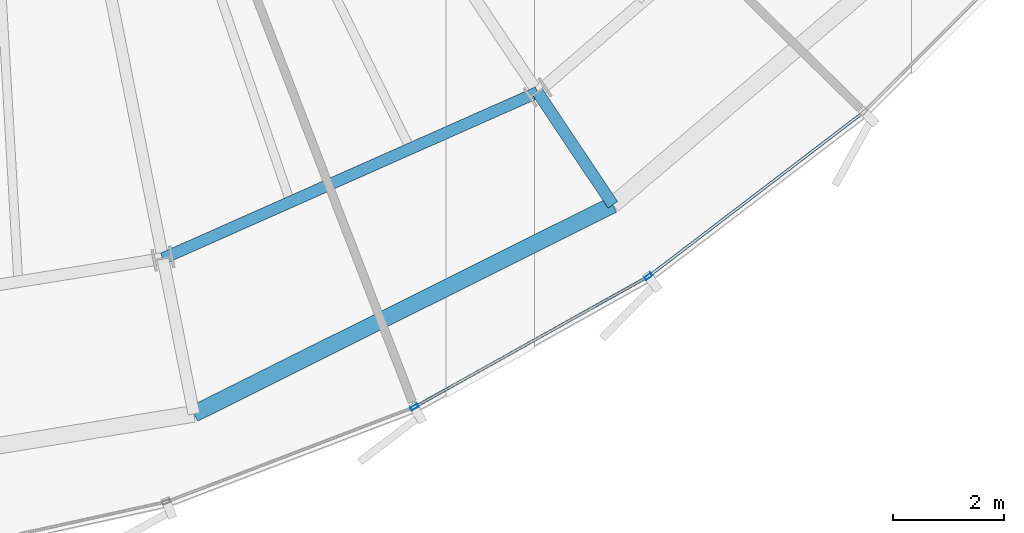
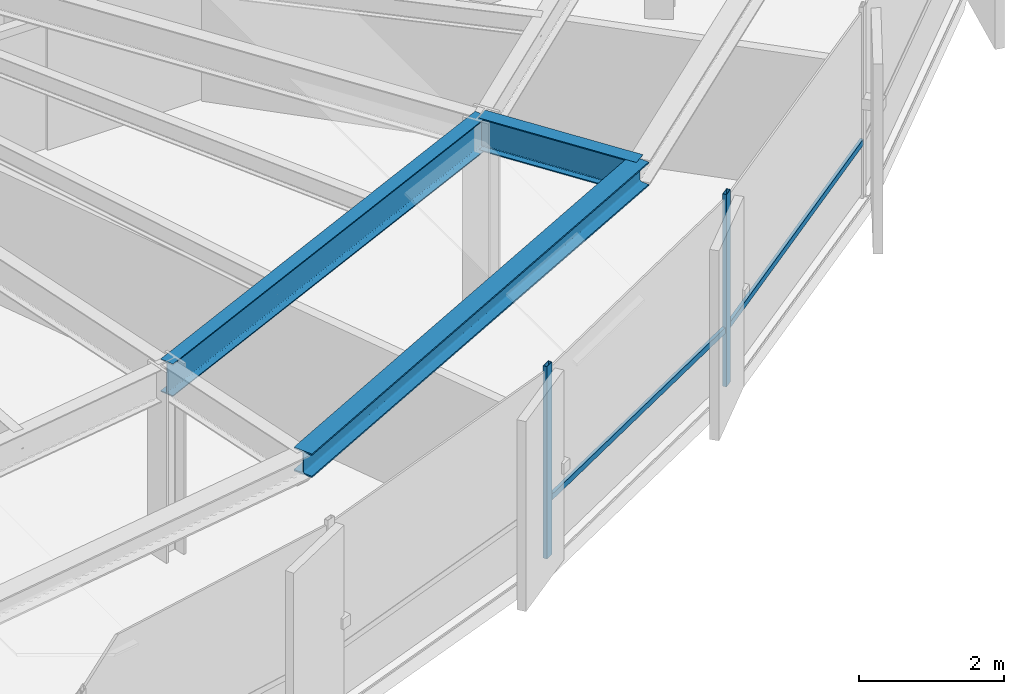
# One storey, part 13 of 35: 4 members, 3 beams, 1 element without a shape of its own.
"""IFC4 building model written with IfcOpenShell, lengths in metres."""

from ifc_helpers import new_model, si_unit, direction, frame, origin, origin_2d, place, context, subcontext, project, spatial, hollow_rectangle, i_section, extrude, source, transform, mapped, material, layer, layer_set, material_profile, profile_set, type_object, element, aggregate, save


model = new_model("IFC4")

# Units and contexts
model_context = context("Model", 3, precision=1e-05, world=origin(), true_north=direction((0.0, 1.0)))
body_context = subcontext(model_context, "Body", "Model", "MODEL_VIEW")
ifc_project = project(units=[si_unit("LENGTHUNIT", "METRE"), si_unit("AREAUNIT", "SQUARE_METRE"), si_unit("VOLUMEUNIT", "CUBIC_METRE"), si_unit("PLANEANGLEUNIT", "RADIAN"), si_unit("MASSUNIT", "GRAM", prefix="KILO"), si_unit("THERMODYNAMICTEMPERATUREUNIT", "KELVIN")], contexts=[model_context])

# Site, building, storey
site_placement = place(None, origin())
site = spatial("IfcSite", under=ifc_project, at=site_placement, CompositionType="ELEMENT")
building_placement = place(site_placement, origin())
building = spatial("IfcBuilding", under=site, at=building_placement, Name="Kethvar Cultural Tower", CompositionType="ELEMENT")
storey_placement = place(building_placement, frame((0.0, 0.0, 167.85009765625)))
storey = spatial("IfcBuildingStorey", under=building, at=storey_placement, Name="L43", CompositionType="ELEMENT", Elevation=167.85009765625)

# Beams
ifc_material_1 = material(Name="Steel S355J2", Category="steel")
ifc_material_profile_1 = material_profile(ifc_material_1, i_section(OverallWidth=0.2099609375, OverallDepth=0.550048828125, WebThickness=0.010986328125, FlangeThickness=0.01708984375, FilletRadius=0.02392578125, at=origin_2d()), Name="Steel S355J2 — IPE550")
ifc_profile_set_1 = profile_set([ifc_material_profile_1], Name="Steel S355J2 — IPE550")
beam_type_1 = type_object("IfcBeamType", Name="BM-IPE550", PredefinedType="BEAM", material=ifc_profile_set_1)
shared_shape_1 = source(origin(), body_context, "Body", "SweptSolid", [
    extrude(i_section(OverallWidth=0.2099609375, OverallDepth=0.550048828125, WebThickness=0.010986328125, FlangeThickness=0.01708984375, FilletRadius=0.02392578125, at=origin_2d()), origin(), (0.0, 0.0, 1.0), 7.3720703125),
])
beam_1_placement = place(storey_placement, frame((50.50341796875, 9.182373046875, 2.962890625), z_axis=(0.914058560918, 0.405582232367, 0.0), x_axis=(-0.405582232367, 0.914058560918, 0.0)))
element("IfcBeam", 1, at=beam_1_placement, inside=storey, type_object=beam_type_1, Name="L43 Column Ring Tie Beam CR-13", PredefinedType="BEAM", context=body_context, shape_type="MappedRepresentation", body=[
    mapped(shared_shape_1, transform((0.0, 0.0, 0.0), scale=1.0)),
])
shared_shape_2 = source(origin(), body_context, "Body", "SweptSolid", [
    extrude(i_section(OverallWidth=0.2099609375, OverallDepth=0.550048828125, WebThickness=0.010986328125, FlangeThickness=0.01708984375, FilletRadius=0.02392578125, at=origin_2d()), origin(), (0.0, 0.0, 1.0), 2.435791015625),
])
beam_2_placement = place(storey_placement, frame((57.241943359375, 12.17236328125, 2.962890625), z_axis=(0.555601984191, -0.831448395971, 0.0), x_axis=(0.831448395971, 0.555601984191, 0.0)))
element("IfcBeam", 2, at=beam_2_placement, inside=storey, type_object=beam_type_1, Name="L43 Perimeter Cantilever Beam RC-14", PredefinedType="BEAM", context=body_context, shape_type="MappedRepresentation", body=[
    mapped(shared_shape_2, transform((0.0, 0.0, 0.0), scale=1.0)),
])
ifc_material_profile_2 = material_profile(ifc_material_1, i_section(OverallWidth=0.300048828125, OverallDepth=0.39990234375, WebThickness=0.013427734375, FlangeThickness=0.02392578125, FilletRadius=0.027099609375, at=origin_2d()), Name="Steel S355J2 — HEB400")
ifc_profile_set_2 = profile_set([ifc_material_profile_2], Name="Steel S355J2 — HEB400")
beam_type_2 = type_object("IfcBeamType", Name="BM-SP400", PredefinedType="SPANDREL", material=ifc_profile_set_2)
shared_shape_3 = source(origin(), body_context, "Body", "SweptSolid", [
    extrude(i_section(OverallWidth=0.300048828125, OverallDepth=0.39990234375, WebThickness=0.013427734375, FlangeThickness=0.02392578125, FilletRadius=0.027099609375, at=origin_2d()), origin(), (0.0, 0.0, 1.0), 8.421875),
])
beam_3_placement = place(storey_placement, frame((51.05908203125, 6.3876953125, 3.037841796875), z_axis=(0.894832668793, 0.446401719151, 0.0), x_axis=(-0.446401719151, 0.894832668793, 0.0)))
element("IfcBeam", 3, at=beam_3_placement, inside=storey, type_object=beam_type_2, Name="L43 Perimeter Spandrel Beam SP-13", PredefinedType="SPANDREL", context=body_context, shape_type="MappedRepresentation", body=[
    mapped(shared_shape_3, transform((0.0, 0.0, 0.0), scale=1.0)),
])

# Curtain wall, members
ifc_material_2 = material(Name="Aluminium 6063-T6", Category="aluminium")
ifc_layer = layer(ifc_material_2, 0.179931640625, Name="Aluminium 6063-T6", Category="aluminium")
ifc_layer_set = layer_set([ifc_layer], Name="Aluminium 6063-T6 (180 mm)")
curtain_wall_type = type_object("IfcCurtainWallType", Name="CW-SYS-04-Z34", PredefinedType="NOTDEFINED", material=ifc_layer_set)
curtain_wall_placement = place(storey_placement, origin())
curtain_wall = element("IfcCurtainWall", 4, at=curtain_wall_placement, inside=storey, type_object=curtain_wall_type, Name="L43 Curtain Wall Run 05", PredefinedType="NOTDEFINED")
ifc_material_profile_3 = material_profile(ifc_material_2, hollow_rectangle(XDim=0.06005859375, YDim=0.139892578125, WallThickness=0.0048828125, at=origin_2d()), Name="Aluminium 6063-T6 — RHS140x60x5")
ifc_profile_set_3 = profile_set([ifc_material_profile_3], Name="Aluminium 6063-T6 — RHS140x60x5")
member_type_1 = type_object("IfcMemberType", Name="CW-SYS-04-Z34-MUL", PredefinedType="MULLION", material=ifc_profile_set_3)
shared_shape_4 = source(origin(), body_context, "Body", "SweptSolid", [
    extrude(hollow_rectangle(XDim=0.06005859375, YDim=0.139892578125, WallThickness=0.0048828125, at=origin_2d()), origin(), (0.0, 0.0, 1.0), 3.239990234375),
])
member_1_placement = place(storey_placement, frame((55.025390625, 6.5078125, 0.0), z_axis=(0.0, 0.0, 1.0), x_axis=(-0.487829188113, 0.872939106253, 0.0)))
member_1 = element("IfcMember", 5, at=member_1_placement, type_object=member_type_1, Name="CW-L43-R05 Mullion 3", PredefinedType="MULLION", context=body_context, shape_type="MappedRepresentation", body=[
    mapped(shared_shape_4, transform((0.0, 0.0, 0.0), scale=1.0)),
])
member_2_placement = place(storey_placement, frame((59.2333984375, 8.85791015625, 0.0), z_axis=(0.0, 0.0, 1.0), x_axis=(-0.606765594053, 0.794880817402, 0.0)))
member_2 = element("IfcMember", 6, at=member_2_placement, type_object=member_type_1, Name="CW-L43-R05 Mullion 4", PredefinedType="MULLION", context=body_context, shape_type="MappedRepresentation", body=[
    mapped(shared_shape_4, transform((0.0, 0.0, 0.0), scale=1.0)),
])
ifc_material_profile_4 = material_profile(ifc_material_2, hollow_rectangle(XDim=0.050048828125, YDim=0.10009765625, WallThickness=0.00390625, at=origin_2d()), Name="Aluminium 6063-T6 — RHS100x50x4")
ifc_profile_set_4 = profile_set([ifc_material_profile_4], Name="Aluminium 6063-T6 — RHS100x50x4")
member_type_2 = type_object("IfcMemberType", Name="CW-SYS-04-Z34-TRN", PredefinedType="USERDEFINED", material=ifc_profile_set_4)
shared_shape_5 = source(origin(), body_context, "Body", "SweptSolid", [
    extrude(hollow_rectangle(XDim=0.050048828125, YDim=0.10009765625, WallThickness=0.00390625, at=origin_2d()), origin(), (0.0, 0.0, 1.0), 4.748779296875),
])
member_3_placement = place(storey_placement, frame((55.063232421875, 6.52880859375, 0.949951171875), z_axis=(0.872927383584, 0.487850164487, 0.0), x_axis=(-0.487850164487, 0.872927383584, 0.0)))
member_3 = element("IfcMember", 7, at=member_3_placement, type_object=member_type_2, Name="CW-L43-R05 Transom 3", ObjectType="TRANSOM", PredefinedType="USERDEFINED", context=body_context, shape_type="MappedRepresentation", body=[
    mapped(shared_shape_5, transform((0.0, 0.0, 0.0), scale=1.0)),
])
shared_shape_6 = source(origin(), body_context, "Body", "SweptSolid", [
    extrude(hollow_rectangle(XDim=0.050048828125, YDim=0.10009765625, WallThickness=0.00390625, at=origin_2d()), origin(), (0.0, 0.0, 1.0), 4.80419921875),
])
member_4_placement = place(storey_placement, frame((59.267578125, 8.884033203125, 0.949951171875), z_axis=(0.794866746859, 0.606784026436, 0.0), x_axis=(-0.606784026436, 0.794866746859, 0.0)))
member_4 = element("IfcMember", 8, at=member_4_placement, type_object=member_type_2, Name="CW-L43-R05 Transom 4", ObjectType="TRANSOM", PredefinedType="USERDEFINED", context=body_context, shape_type="MappedRepresentation", body=[
    mapped(shared_shape_6, transform((0.0, 0.0, 0.0), scale=1.0)),
])
aggregate(curtain_wall, [member_1, member_2, member_3, member_4])

save(model, "model.ifc")
